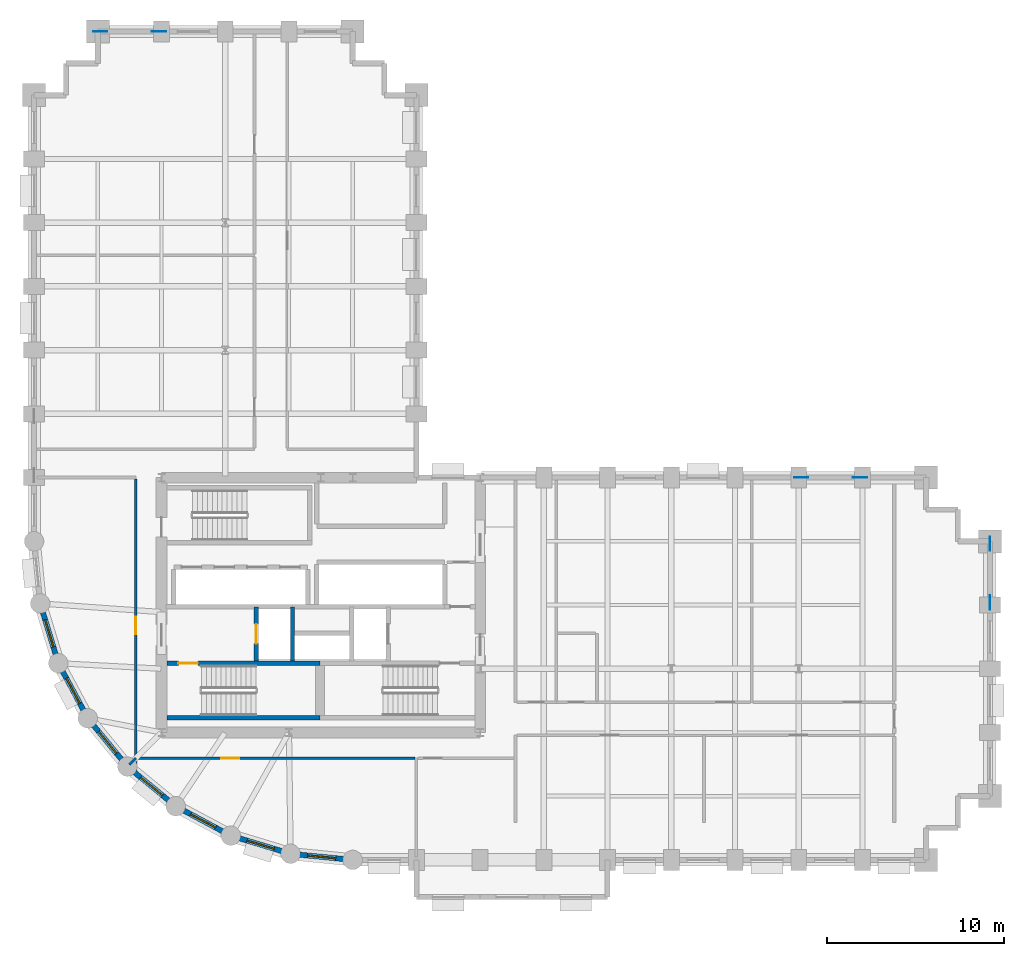
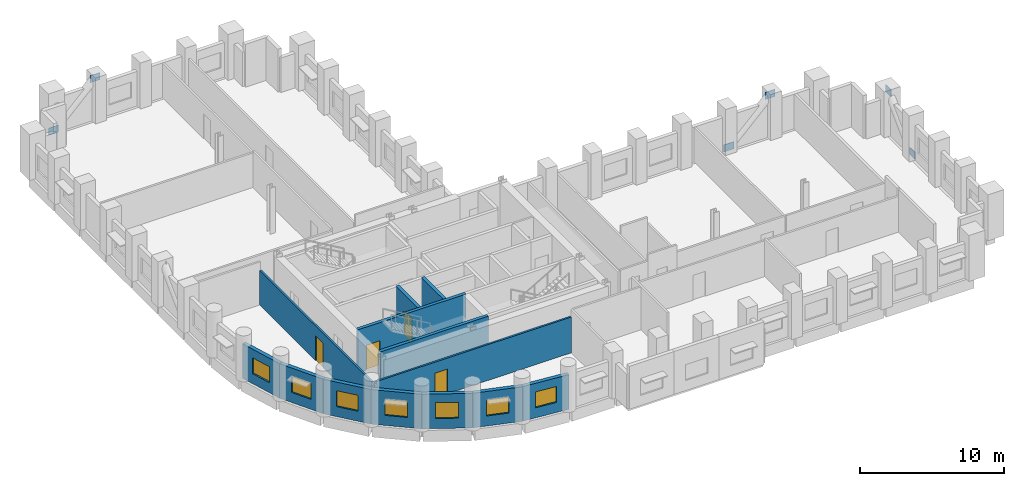
# One storey, part 5 of 12: 14 walls, 7 windows, 6 plates, 4 doors, 11 openings.
"""IFC4 building model written with IfcOpenShell, lengths in metres."""

from ifc_helpers import new_model, si_unit, direction, frame, frame_2d, origin, origin_2d, place, context, subcontext, project, spatial, rectangle, extrude, material, layer, layer_set, type_object, element, fill, save


model = new_model("IFC4")

# Units and contexts
model_context = context("Model", 3, precision=1e-05, world=origin(), true_north=direction((0.0, 1.0)))
body_context = subcontext(model_context, "Body", "Model", "MODEL_VIEW")
ifc_project = project(units=[si_unit("LENGTHUNIT", "METRE"), si_unit("AREAUNIT", "SQUARE_METRE"), si_unit("VOLUMEUNIT", "CUBIC_METRE"), si_unit("PLANEANGLEUNIT", "RADIAN"), si_unit("MASSUNIT", "GRAM", prefix="KILO")], contexts=[model_context])

# Site, building, storey
site_placement = place(None, origin())
site = spatial("IfcSite", under=ifc_project, at=site_placement, CompositionType="ELEMENT")
building_placement = place(site_placement, origin())
building = spatial("IfcBuilding", under=site, at=building_placement, Name="Solnavia Interchange Tower", CompositionType="ELEMENT")
storey_placement = place(building_placement, frame((0.0, 0.0, 31.800048828125)))
storey = spatial("IfcBuildingStorey", under=building, at=storey_placement, Name="L07", CompositionType="ELEMENT", Elevation=31.800048828125)

# Plates
ifc_material_1 = material(Name="Steel S460", Category="steel")
ifc_layer_1 = layer(ifc_material_1, 0.035888671875)
ifc_layer_set_1 = layer_set([ifc_layer_1], Name="Steel S460")
plate_type = type_object("IfcPlateType", Name="Plate-Gusset-800x600x36", PredefinedType="USERDEFINED", material=ifc_layer_set_1)
for number, where, z_axis, x_axis, name in (
    (1, (61.199951171875, 18.139892578125, -0.1201171875), (0.0, 0.0, 1.0), (0.0, 1.0, 0.0), "PLT-L07-GP03 Perimeter brace gusset plate"),
    (2, (61.199951171875, 21.4599609375, 3.169921875), (0.0, 0.0, 1.0), (0.0, 1.0, 0.0), "PLT-L07-GP04 Perimeter brace gusset plate"),
    (3, (10.93994140625, 50.39990234375, -0.1201171875), (0.0, 0.0, 1.0), (1.0, 0.0, 0.0), "PLT-L07-GP05 Perimeter brace gusset plate"),
    (4, (14.260009765625, 50.39990234375, 3.169921875), (0.0, 0.0, 1.0), (1.0, 0.0, 0.0), "PLT-L07-GP06 Perimeter brace gusset plate"),
    (5, (50.5400390625, 25.199951171875, -0.1201171875), (0.0, 0.0, 1.0), (1.0, 0.0, 0.0), "PLT-L07-GP07 Perimeter brace gusset plate"),
    (6, (53.860107421875, 25.199951171875, 3.169921875), (0.0, 0.0, 1.0), (1.0, 0.0, 0.0), "PLT-L07-GP08 Perimeter brace gusset plate"),
):
    element("IfcPlate", number, at=place(storey_placement, frame(where, z_axis=z_axis, x_axis=x_axis)), inside=storey, type_object=plate_type, Name=name, ObjectType="GUSSET PLATE", PredefinedType="USERDEFINED", context=body_context, shape_type="SweptSolid", body=[
        extrude(rectangle(XDim=0.800048828125, YDim=0.035888671875, at=origin_2d()), origin(), (0.0, 0.0, 1.0), 0.60009765625),
    ])

# Wall, opening, window
ifc_material_2 = material(Name="Concrete C40/50", Category="concrete")
ifc_layer_2 = layer(ifc_material_2, 0.300048828125)
ifc_layer_set_2 = layer_set([ifc_layer_2], Name="Concrete C40/50")
wall_type_1 = type_object("IfcWallType", Name="Wall-ExtSpandrel-300", PredefinedType="STANDARD", material=ifc_layer_set_2)
wall_1_placement = place(storey_placement, frame((8.570068359375, 14.7119140625, 0.0), z_axis=(0.0, 0.0, 1.0), x_axis=(-0.290305086481, 0.956934144423, 0.0)))
wall_1 = element("IfcWall", 7, at=wall_1_placement, inside=storey, type_object=wall_type_1, Name="EXW-L07-58 Exterior precast spandrel wall", PredefinedType="STANDARD", context=body_context, shape_type="SweptSolid", body=[
    extrude(rectangle(XDim=3.52783203125, YDim=0.300048828125, at=frame_2d((1.763916015625, 0.0))), origin(), (0.0, 0.0, 1.0), 2.929931640625),
])
opening_1_placement = place(wall_1_placement, frame((0.964111328125, 0.0, 0.85009765625)))
opening_1 = element("IfcOpeningElement", 8, at=opening_1_placement, cuts=wall_1, Name="Opening WIN-04", PredefinedType="OPENING", context=body_context, shape_type="SweptSolid", body=[
    extrude(rectangle(XDim=1.60009765625, YDim=1.35009765625, at=frame_2d((0.800048828125, 0.675048828125))), frame((0.0, 0.16015625, 0.0), z_axis=(0.0, -1.0, 0.0), x_axis=(1.0, 0.0, 0.0)), (0.0, 0.0, 1.0), 0.320068359375),
])
ifc_material_3 = material(Name="Thermal-Break Aluminium & Low-E Glass", Category="aluminium")
window_type = type_object("IfcWindowType", Name="Window-Drum-1600x1350", PartitioningType="SINGLE_PANEL", PredefinedType="WINDOW", material=ifc_material_3)
window_1_placement = place(opening_1_placement, origin())
window_1 = element("IfcWindow", 9, at=window_1_placement, inside=storey, type_object=window_type, Name="WIN-L07-58 Facade ribbon window", OverallHeight=1.35009765625, OverallWidth=1.60009765625, PartitioningType="SINGLE_PANEL", PredefinedType="WINDOW", context=body_context, shape_type="SweptSolid", body=[
    extrude(rectangle(XDim=1.60009765625, YDim=1.35009765625, at=frame_2d((0.800048828125, 0.675048828125))), frame((0.0, 0.030029296875, 0.0), z_axis=(0.0, -1.0, 0.0), x_axis=(1.0, 0.0, 0.0)), (0.0, 0.0, 1.0), 0.06005859375),
])
fill(opening_1, window_1)

wall_2_placement = place(storey_placement, frame((10.23388671875, 11.60009765625, 0.0), z_axis=(0.0, 0.0, 1.0), x_axis=(-0.47151087309, 0.881860247748, 0.0)))
wall_2 = element("IfcWall", 10, at=wall_2_placement, inside=storey, type_object=wall_type_1, Name="EXW-L07-59 Exterior precast spandrel wall", PredefinedType="STANDARD", context=body_context, shape_type="SweptSolid", body=[
    extrude(rectangle(XDim=3.52880859375, YDim=0.300048828125, at=frame_2d((1.764404296875, 0.0))), origin(), (0.0, 0.0, 1.0), 2.929931640625),
])
opening_2_placement = place(wall_2_placement, frame((0.964111328125, 0.0, 0.85009765625)))
opening_2 = element("IfcOpeningElement", 11, at=opening_2_placement, cuts=wall_2, Name="Opening WIN-04", PredefinedType="OPENING", context=body_context, shape_type="SweptSolid", body=[
    extrude(rectangle(XDim=1.60009765625, YDim=1.35009765625, at=frame_2d((0.800048828125, 0.675048828125))), frame((0.0, 0.16015625, 0.0), z_axis=(0.0, -1.0, 0.0), x_axis=(1.0, 0.0, 0.0)), (0.0, 0.0, 1.0), 0.320068359375),
])
window_2_placement = place(opening_2_placement, origin())
window_2 = element("IfcWindow", 12, at=window_2_placement, inside=storey, type_object=window_type, Name="WIN-L07-59 Facade ribbon window", OverallHeight=1.35009765625, OverallWidth=1.60009765625, PartitioningType="SINGLE_PANEL", PredefinedType="WINDOW", context=body_context, shape_type="SweptSolid", body=[
    extrude(rectangle(XDim=1.60009765625, YDim=1.35009765625, at=frame_2d((0.800048828125, 0.675048828125))), frame((0.0, 0.030029296875, 0.0), z_axis=(0.0, -1.0, 0.0), x_axis=(1.0, 0.0, 0.0)), (0.0, 0.0, 1.0), 0.06005859375),
])
fill(opening_2, window_2)

wall_3_placement = place(storey_placement, frame((12.471923828125, 8.8720703125, 0.0), z_axis=(0.0, 0.0, 1.0), x_axis=(-0.634258295121, 0.773121216285, 0.0)))
wall_3 = element("IfcWall", 13, at=wall_3_placement, inside=storey, type_object=wall_type_1, Name="EXW-L07-60 Exterior precast spandrel wall", PredefinedType="STANDARD", context=body_context, shape_type="SweptSolid", body=[
    extrude(rectangle(XDim=3.528564453125, YDim=0.300048828125, at=frame_2d((1.76416015625, 0.0))), origin(), (0.0, 0.0, 1.0), 2.929931640625),
])
opening_3_placement = place(wall_3_placement, frame((0.964111328125, 0.0, 0.85009765625)))
opening_3 = element("IfcOpeningElement", 14, at=opening_3_placement, cuts=wall_3, Name="Opening WIN-04", PredefinedType="OPENING", context=body_context, shape_type="SweptSolid", body=[
    extrude(rectangle(XDim=1.60009765625, YDim=1.35009765625, at=frame_2d((0.800048828125, 0.675048828125))), frame((0.0, 0.16015625, 0.0), z_axis=(0.0, -1.0, 0.0), x_axis=(1.0, 0.0, 0.0)), (0.0, 0.0, 1.0), 0.320068359375),
])
window_3_placement = place(opening_3_placement, origin())
window_3 = element("IfcWindow", 15, at=window_3_placement, inside=storey, type_object=window_type, Name="WIN-L07-60 Facade ribbon window", OverallHeight=1.35009765625, OverallWidth=1.60009765625, PartitioningType="SINGLE_PANEL", PredefinedType="WINDOW", context=body_context, shape_type="SweptSolid", body=[
    extrude(rectangle(XDim=1.60009765625, YDim=1.35009765625, at=frame_2d((0.800048828125, 0.675048828125))), frame((0.0, 0.030029296875, 0.0), z_axis=(0.0, -1.0, 0.0), x_axis=(1.0, 0.0, 0.0)), (0.0, 0.0, 1.0), 0.06005859375),
])
fill(opening_3, window_3)

wall_4_placement = place(storey_placement, frame((15.199951171875, 6.634033203125, 0.0), z_axis=(0.0, 0.0, 1.0), x_axis=(-0.773121216285, 0.634258295121, 0.0)))
wall_4 = element("IfcWall", 16, at=wall_4_placement, inside=storey, type_object=wall_type_1, Name="EXW-L07-61 Exterior precast spandrel wall", PredefinedType="STANDARD", context=body_context, shape_type="SweptSolid", body=[
    extrude(rectangle(XDim=3.528564453125, YDim=0.300048828125, at=frame_2d((1.76416015625, 0.0))), origin(), (0.0, 0.0, 1.0), 2.929931640625),
])
opening_4_placement = place(wall_4_placement, frame((0.964111328125, 0.0, 0.85009765625)))
opening_4 = element("IfcOpeningElement", 17, at=opening_4_placement, cuts=wall_4, Name="Opening WIN-04", PredefinedType="OPENING", context=body_context, shape_type="SweptSolid", body=[
    extrude(rectangle(XDim=1.60009765625, YDim=1.35009765625, at=frame_2d((0.800048828125, 0.675048828125))), frame((0.0, 0.16015625, 0.0), z_axis=(0.0, -1.0, 0.0), x_axis=(1.0, 0.0, 0.0)), (0.0, 0.0, 1.0), 0.320068359375),
])
window_4_placement = place(opening_4_placement, origin())
window_4 = element("IfcWindow", 18, at=window_4_placement, inside=storey, type_object=window_type, Name="WIN-L07-61 Facade ribbon window", OverallHeight=1.35009765625, OverallWidth=1.60009765625, PartitioningType="SINGLE_PANEL", PredefinedType="WINDOW", context=body_context, shape_type="SweptSolid", body=[
    extrude(rectangle(XDim=1.60009765625, YDim=1.35009765625, at=frame_2d((0.800048828125, 0.675048828125))), frame((0.0, 0.030029296875, 0.0), z_axis=(0.0, -1.0, 0.0), x_axis=(1.0, 0.0, 0.0)), (0.0, 0.0, 1.0), 0.06005859375),
])
fill(opening_4, window_4)

wall_5_placement = place(storey_placement, frame((18.31201171875, 4.969970703125, 0.0), z_axis=(0.0, 0.0, 1.0), x_axis=(-0.881846862014, 0.471535907389, 0.0)))
wall_5 = element("IfcWall", 19, at=wall_5_placement, inside=storey, type_object=wall_type_1, Name="EXW-L07-62 Exterior precast spandrel wall", PredefinedType="STANDARD", context=body_context, shape_type="SweptSolid", body=[
    extrude(rectangle(XDim=3.529052734375, YDim=0.300048828125, at=frame_2d((1.7646484375, 0.0))), origin(), (0.0, 0.0, 1.0), 2.929931640625),
])
opening_5_placement = place(wall_5_placement, frame((0.964111328125, 0.0, 0.85009765625)))
opening_5 = element("IfcOpeningElement", 20, at=opening_5_placement, cuts=wall_5, Name="Opening WIN-04", PredefinedType="OPENING", context=body_context, shape_type="SweptSolid", body=[
    extrude(rectangle(XDim=1.60009765625, YDim=1.35009765625, at=frame_2d((0.800048828125, 0.675048828125))), frame((0.0, 0.16015625, 0.0), z_axis=(0.0, -1.0, 0.0), x_axis=(1.0, 0.0, 0.0)), (0.0, 0.0, 1.0), 0.320068359375),
])
window_5_placement = place(opening_5_placement, origin())
window_5 = element("IfcWindow", 21, at=window_5_placement, inside=storey, type_object=window_type, Name="WIN-L07-62 Facade ribbon window", OverallHeight=1.35009765625, OverallWidth=1.60009765625, PartitioningType="SINGLE_PANEL", PredefinedType="WINDOW", context=body_context, shape_type="SweptSolid", body=[
    extrude(rectangle(XDim=1.60009765625, YDim=1.35009765625, at=frame_2d((0.800048828125, 0.675048828125))), frame((0.0, 0.030029296875, 0.0), z_axis=(0.0, -1.0, 0.0), x_axis=(1.0, 0.0, 0.0)), (0.0, 0.0, 1.0), 0.06005859375),
])
fill(opening_5, window_5)

wall_6_placement = place(storey_placement, frame((21.68798828125, 3.946044921875, 0.0), z_axis=(0.0, 0.0, 1.0), x_axis=(-0.956953367403, 0.290241714123, 0.0)))
wall_6 = element("IfcWall", 22, at=wall_6_placement, inside=storey, type_object=wall_type_1, Name="EXW-L07-63 Exterior precast spandrel wall", PredefinedType="STANDARD", context=body_context, shape_type="SweptSolid", body=[
    extrude(rectangle(XDim=3.52783203125, YDim=0.300048828125, at=frame_2d((1.763916015625, 0.0))), origin(), (0.0, 0.0, 1.0), 2.929931640625),
])
opening_6_placement = place(wall_6_placement, frame((0.964111328125, 0.0, 0.85009765625)))
opening_6 = element("IfcOpeningElement", 23, at=opening_6_placement, cuts=wall_6, Name="Opening WIN-04", PredefinedType="OPENING", context=body_context, shape_type="SweptSolid", body=[
    extrude(rectangle(XDim=1.60009765625, YDim=1.35009765625, at=frame_2d((0.800048828125, 0.675048828125))), frame((0.0, 0.16015625, 0.0), z_axis=(0.0, -1.0, 0.0), x_axis=(1.0, 0.0, 0.0)), (0.0, 0.0, 1.0), 0.320068359375),
])
window_6_placement = place(opening_6_placement, origin())
window_6 = element("IfcWindow", 24, at=window_6_placement, inside=storey, type_object=window_type, Name="WIN-L07-63 Facade ribbon window", OverallHeight=1.35009765625, OverallWidth=1.60009765625, PartitioningType="SINGLE_PANEL", PredefinedType="WINDOW", context=body_context, shape_type="SweptSolid", body=[
    extrude(rectangle(XDim=1.60009765625, YDim=1.35009765625, at=frame_2d((0.800048828125, 0.675048828125))), frame((0.0, 0.030029296875, 0.0), z_axis=(0.0, -1.0, 0.0), x_axis=(1.0, 0.0, 0.0)), (0.0, 0.0, 1.0), 0.06005859375),
])
fill(opening_6, window_6)

wall_7_placement = place(storey_placement, frame((25.199951171875, 3.60009765625, 0.0), z_axis=(0.0, 0.0, 1.0), x_axis=(-0.995183369056, 0.098030923459, 0.0)))
wall_7 = element("IfcWall", 25, at=wall_7_placement, inside=storey, type_object=wall_type_1, Name="EXW-L07-64 Exterior precast spandrel wall", PredefinedType="STANDARD", context=body_context, shape_type="SweptSolid", body=[
    extrude(rectangle(XDim=3.529052734375, YDim=0.300048828125, at=frame_2d((1.7646484375, 0.0))), origin(), (0.0, 0.0, 1.0), 2.929931640625),
])
opening_7_placement = place(wall_7_placement, frame((0.965087890625, 0.0, 0.85009765625)))
opening_7 = element("IfcOpeningElement", 26, at=opening_7_placement, cuts=wall_7, Name="Opening WIN-04", PredefinedType="OPENING", context=body_context, shape_type="SweptSolid", body=[
    extrude(rectangle(XDim=1.60009765625, YDim=1.35009765625, at=frame_2d((0.800048828125, 0.675048828125))), frame((0.0, 0.16015625, 0.0), z_axis=(0.0, -1.0, 0.0), x_axis=(1.0, 0.0, 0.0)), (0.0, 0.0, 1.0), 0.320068359375),
])
window_7_placement = place(opening_7_placement, origin())
window_7 = element("IfcWindow", 27, at=window_7_placement, inside=storey, type_object=window_type, Name="WIN-L07-64 Facade ribbon window", OverallHeight=1.35009765625, OverallWidth=1.60009765625, PartitioningType="SINGLE_PANEL", PredefinedType="WINDOW", context=body_context, shape_type="SweptSolid", body=[
    extrude(rectangle(XDim=1.60009765625, YDim=1.35009765625, at=frame_2d((0.800048828125, 0.675048828125))), frame((0.0, 0.030029296875, 0.0), z_axis=(0.0, -1.0, 0.0), x_axis=(1.0, 0.0, 0.0)), (0.0, 0.0, 1.0), 0.06005859375),
])
fill(opening_7, window_7)

# Wall
ifc_material_4 = material(Name="Gypsum Plasterboard & Steel Stud", Category="steel")
ifc_layer_3 = layer(ifc_material_4, 0.14990234375)
ifc_layer_set_3 = layer_set([ifc_layer_3], Name="Gypsum Plasterboard & Steel Stud")
wall_type_2 = type_object("IfcWallType", Name="Wall-Partition-150", PredefinedType="PARTITIONING", material=ifc_layer_set_3)
wall_8_placement = place(storey_placement, frame((12.949951171875, 9.35009765625, 0.0), z_axis=(0.0, 0.0, 1.0), x_axis=(-0.707106781187, -0.707106781187, 0.0)))
element("IfcWall", 28, at=wall_8_placement, inside=storey, type_object=wall_type_2, Name="PTW-L07-09 Interior partition wall", PredefinedType="PARTITIONING", context=body_context, shape_type="SweptSolid", body=[
    extrude(rectangle(XDim=0.52197265625, YDim=0.14990234375, at=frame_2d((0.260986328125, 0.0))), origin(), (0.0, 0.0, 1.0), 3.079833984375),
])

# Wall, opening, door
wall_9_placement = place(storey_placement, frame((12.949951171875, 8.6337890625, 0.0), z_axis=(0.0, 0.0, 1.0), x_axis=(0.0, 1.0, 0.0)))
wall_9 = element("IfcWall", 29, at=wall_9_placement, inside=storey, type_object=wall_type_2, Name="PTW-L07-10 Interior partition wall", PredefinedType="PARTITIONING", context=body_context, shape_type="SweptSolid", body=[
    extrude(rectangle(XDim=16.4873046875, YDim=0.14990234375, at=frame_2d((8.24365234375, 0.0))), origin(), (0.0, 0.0, 1.0), 2.929931640625),
])
opening_8_placement = place(wall_9_placement, frame((7.7060546875, 0.0, 0.0)))
opening_8 = element("IfcOpeningElement", 30, at=opening_8_placement, cuts=wall_9, Name="Opening DR-07", PredefinedType="OPENING", context=body_context, shape_type="SweptSolid", body=[
    extrude(rectangle(XDim=1.0, YDim=2.10009765625, at=frame_2d((0.5, 1.050048828125))), frame((0.0, 0.0849609375, 0.0), z_axis=(0.0, -1.0, 0.0), x_axis=(1.0, 0.0, 0.0)), (0.0, 0.0, 1.0), 0.169921875),
])
ifc_material_5 = material(Name="Timber & Acoustic Glazed Office Door", Category="wood")
door_type_1 = type_object("IfcDoorType", Name="Door-Office-1000x2100", OperationType="SINGLE_SWING_RIGHT", PredefinedType="DOOR", material=ifc_material_5)
door_1_placement = place(opening_8_placement, origin())
door_1 = element("IfcDoor", 31, at=door_1_placement, inside=storey, type_object=door_type_1, Name="DR-L07-03 Interior room door", OperationType="SINGLE_SWING_LEFT", OverallHeight=2.10009765625, OverallWidth=1.0, PredefinedType="DOOR", context=body_context, shape_type="SweptSolid", body=[
    extrude(rectangle(XDim=1.0, YDim=2.10009765625, at=frame_2d((0.5, 1.050048828125))), frame((0.0, 0.02490234375, 0.0), z_axis=(0.0, -1.0, 0.0), x_axis=(1.0, 0.0, 0.0)), (0.0, 0.0, 1.0), 0.050048828125),
])
fill(opening_8, door_1)

wall_10_placement = place(storey_placement, frame((13.080078125, 9.35009765625, 0.0), z_axis=(0.0, 0.0, 1.0), x_axis=(1.0, 0.0, 0.0)))
wall_10 = element("IfcWall", 32, at=wall_10_placement, inside=storey, type_object=wall_type_2, Name="PTW-L07-11 Interior partition wall", PredefinedType="PARTITIONING", context=body_context, shape_type="SweptSolid", body=[
    extrude(rectangle(XDim=15.640869140625, YDim=0.14990234375, at=frame_2d((7.8203125, 0.0))), origin(), (0.0, 0.0, 1.0), 3.0400390625),
])
opening_9_placement = place(wall_10_placement, frame((4.7060546875, 0.0, 0.0)))
opening_9 = element("IfcOpeningElement", 33, at=opening_9_placement, cuts=wall_10, Name="Opening DR-07", PredefinedType="OPENING", context=body_context, shape_type="SweptSolid", body=[
    extrude(rectangle(XDim=1.0, YDim=2.10009765625, at=frame_2d((0.5, 1.050048828125))), frame((0.0, 0.0849609375, 0.0), z_axis=(0.0, -1.0, 0.0), x_axis=(1.0, 0.0, 0.0)), (0.0, 0.0, 1.0), 0.169921875),
])
door_2_placement = place(opening_9_placement, origin())
door_2 = element("IfcDoor", 34, at=door_2_placement, inside=storey, type_object=door_type_1, Name="DR-L07-04 Interior room door", OperationType="SINGLE_SWING_RIGHT", OverallHeight=2.10009765625, OverallWidth=1.0, PredefinedType="DOOR", context=body_context, shape_type="SweptSolid", body=[
    extrude(rectangle(XDim=1.0, YDim=2.10009765625, at=frame_2d((0.5, 1.050048828125))), frame((0.0, 0.02490234375, 0.0), z_axis=(0.0, -1.0, 0.0), x_axis=(1.0, 0.0, 0.0)), (0.0, 0.0, 1.0), 0.050048828125),
])
fill(opening_9, door_2)

# Wall
ifc_layer_4 = layer(ifc_material_2, 0.25)
ifc_layer_set_4 = layer_set([ifc_layer_4], Name="Concrete C40/50")
wall_type_3 = type_object("IfcWallType", Name="Wall-ShaftCore-250", PredefinedType="SHEAR", material=ifc_layer_set_4)
wall_11_placement = place(storey_placement, frame((14.699951171875, 11.625, 0.0), z_axis=(0.0, 0.0, 1.0), x_axis=(1.0, 0.0, 0.0)))
element("IfcWall", 35, at=wall_11_placement, inside=storey, type_object=wall_type_3, Name="SHW-L07-ST1S Core shear wall", PredefinedType="SHEAR", context=body_context, shape_type="SweptSolid", body=[
    extrude(rectangle(XDim=8.650146484375, YDim=0.25, at=frame_2d((4.3251953125, 0.0))), origin(), (0.0, 0.0, 1.0), 3.64990234375),
])

# Wall, opening, door
wall_12_placement = place(storey_placement, frame((14.699951171875, 14.715087890625, 0.0), z_axis=(0.0, 0.0, 1.0), x_axis=(1.0, 0.0, 0.0)))
wall_12 = element("IfcWall", 36, at=wall_12_placement, inside=storey, type_object=wall_type_3, Name="SHW-L07-ST1N Core shear wall", PredefinedType="SHEAR", context=body_context, shape_type="SweptSolid", body=[
    extrude(rectangle(XDim=8.650146484375, YDim=0.25, at=frame_2d((4.3251953125, 0.0))), origin(), (0.0, 0.0, 1.0), 3.64990234375),
])
opening_10_placement = place(wall_12_placement, frame((0.655029296875, 0.0, 0.0)))
opening_10 = element("IfcOpeningElement", 37, at=opening_10_placement, cuts=wall_12, Name="Opening DR-01", PredefinedType="OPENING", context=body_context, shape_type="SweptSolid", body=[
    extrude(rectangle(XDim=1.10009765625, YDim=2.10009765625, at=frame_2d((0.550048828125, 1.050048828125))), frame((0.0, 0.135009765625, 0.0), z_axis=(0.0, -1.0, 0.0), x_axis=(1.0, 0.0, 0.0)), (0.0, 0.0, 1.0), 0.27001953125),
])
ifc_material_6 = material(Name="Steel Fire-Rated Leaf & Frame", Category="steel")
door_type_2 = type_object("IfcDoorType", Name="Door-StairFire-1100x2100", OperationType="SINGLE_SWING_LEFT", PredefinedType="DOOR", material=ifc_material_6)
door_3_placement = place(opening_10_placement, origin())
door_3 = element("IfcDoor", 38, at=door_3_placement, inside=storey, type_object=door_type_2, Name="DR-L07-ST1 Core fire door", OperationType="SINGLE_SWING_LEFT", OverallHeight=2.10009765625, OverallWidth=1.10009765625, PredefinedType="DOOR", context=body_context, shape_type="SweptSolid", body=[
    extrude(rectangle(XDim=1.10009765625, YDim=2.10009765625, at=frame_2d((0.550048828125, 1.050048828125))), frame((0.0, 0.02490234375, 0.0), z_axis=(0.0, -1.0, 0.0), x_axis=(1.0, 0.0, 0.0)), (0.0, 0.0, 1.0), 0.050048828125),
])
fill(opening_10, door_3)

ifc_layer_5 = layer(ifc_material_2, 0.25)
ifc_layer_set_5 = layer_set([ifc_layer_5], Name="Concrete C40/50")
wall_type_4 = type_object("IfcWallType", Name="Wall-ShaftPart-250", PredefinedType="PARTITIONING", material=ifc_layer_set_5)
wall_13_placement = place(storey_placement, frame((19.75, 14.840087890625, 0.0), z_axis=(0.0, 0.0, 1.0), x_axis=(0.0, 1.0, 0.0)))
wall_13 = element("IfcWall", 39, at=wall_13_placement, inside=storey, type_object=wall_type_4, Name="SHW-L07-FFL1-W Core shaft wall", PredefinedType="PARTITIONING", context=body_context, shape_type="SweptSolid", body=[
    extrude(rectangle(XDim=3.059814453125, YDim=0.25, at=frame_2d((1.52978515625, 0.0))), origin(), (0.0, 0.0, 1.0), 3.635009765625),
])
opening_11_placement = place(wall_13_placement, frame((0.97998046875, 0.0, 0.0)))
opening_11 = element("IfcOpeningElement", 40, at=opening_11_placement, cuts=wall_13, Name="Opening LD-01", PredefinedType="OPENING", context=body_context, shape_type="SweptSolid", body=[
    extrude(rectangle(XDim=1.10009765625, YDim=2.10009765625, at=frame_2d((0.550048828125, 1.050048828125))), frame((0.0, 0.135009765625, 0.0), z_axis=(0.0, -1.0, 0.0), x_axis=(1.0, 0.0, 0.0)), (0.0, 0.0, 1.0), 0.27001953125),
])
ifc_material_7 = material(Name="Brushed Stainless Steel Sliding Door", Category="steel")
door_type_3 = type_object("IfcDoorType", Name="Door-LiftLanding-1100x2100", OperationType="SLIDING_TO_LEFT", PredefinedType="DOOR", material=ifc_material_7)
door_4_placement = place(opening_11_placement, origin())
door_4 = element("IfcDoor", 41, at=door_4_placement, inside=storey, type_object=door_type_3, Name="LD-L07-FFL1 Lift landing sliding door", OperationType="SLIDING_TO_LEFT", OverallHeight=2.10009765625, OverallWidth=1.10009765625, PredefinedType="DOOR", context=body_context, shape_type="SweptSolid", body=[
    extrude(rectangle(XDim=1.10009765625, YDim=2.10009765625, at=frame_2d((0.550048828125, 1.050048828125))), frame((0.0, 0.02490234375, 0.0), z_axis=(0.0, -1.0, 0.0), x_axis=(1.0, 0.0, 0.0)), (0.0, 0.0, 1.0), 0.050048828125),
])
fill(opening_11, door_4)

# Wall
wall_14_placement = place(storey_placement, frame((21.800048828125, 14.840087890625, 0.0), z_axis=(0.0, 0.0, 1.0), x_axis=(0.0, 1.0, 0.0)))
element("IfcWall", 42, at=wall_14_placement, inside=storey, type_object=wall_type_4, Name="SHW-L07-FFL1-E Core shaft wall", PredefinedType="PARTITIONING", context=body_context, shape_type="SweptSolid", body=[
    extrude(rectangle(XDim=3.059814453125, YDim=0.25, at=frame_2d((1.52978515625, 0.0))), origin(), (0.0, 0.0, 1.0), 3.635009765625),
])

save(model, "model.ifc")
